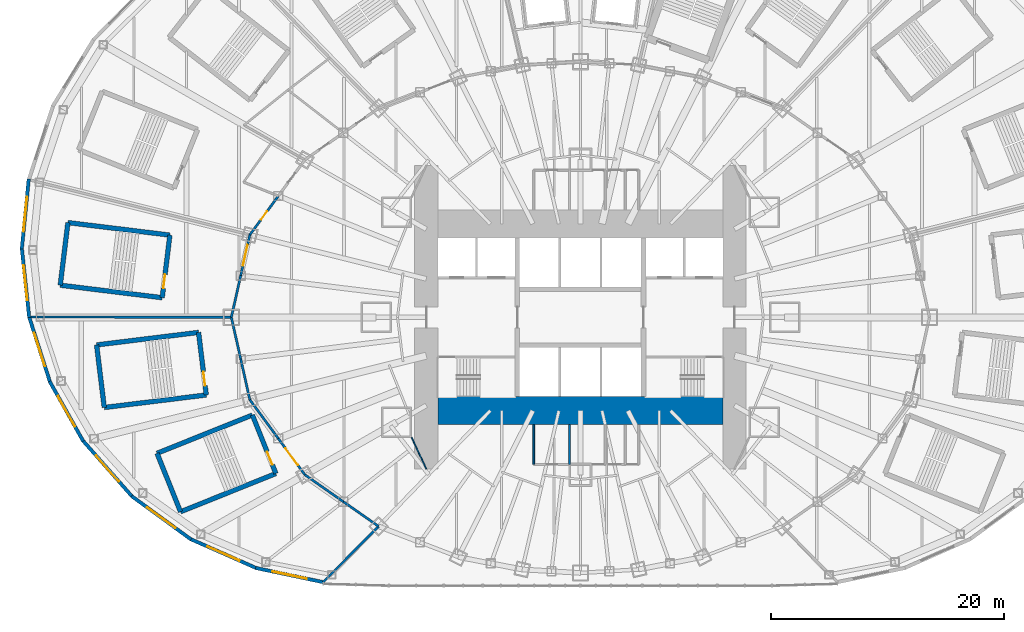
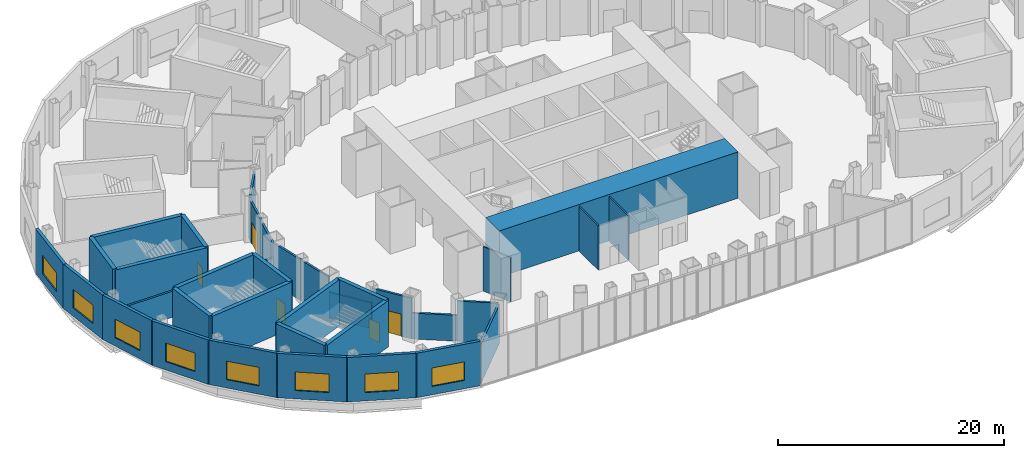
# One storey, part 13 of 73: 35 walls, 8 windows, 6 doors, 14 openings.
"""IFC4 building model written with IfcOpenShell, lengths in metres."""

from ifc_helpers import new_model, si_unit, direction, frame, frame_2d, origin, place, context, subcontext, project, spatial, rectangle, extrude, material, layer, layer_set, type_object, element, fill, save


model = new_model("IFC4")

# Units and contexts
model_context = context("Model", 3, precision=1e-05, world=origin(), true_north=direction((0.0, 1.0)))
body_context = subcontext(model_context, "Body", "Model", "MODEL_VIEW")
ifc_project = project(units=[si_unit("LENGTHUNIT", "METRE"), si_unit("AREAUNIT", "SQUARE_METRE"), si_unit("VOLUMEUNIT", "CUBIC_METRE"), si_unit("PLANEANGLEUNIT", "RADIAN"), si_unit("MASSUNIT", "GRAM", prefix="KILO")], contexts=[model_context])

# Site, building, storey
site_placement = place(None, origin())
site = spatial("IfcSite", under=ifc_project, at=site_placement, CompositionType="ELEMENT")
building_placement = place(site_placement, origin())
building = spatial("IfcBuilding", under=site, at=building_placement, Name="Lantaw Convention Tower", CompositionType="ELEMENT")
storey_placement = place(building_placement, frame((0.0, 0.0, 27.0)))
storey = spatial("IfcBuildingStorey", under=building, at=storey_placement, Name="L04", CompositionType="ELEMENT", Elevation=27.0)

# Walls
ifc_material_1 = material(Name="Concrete C60/75", Category="concrete")
ifc_layer_1 = layer(ifc_material_1, 2.39990234375)
ifc_layer_set_1 = layer_set([ifc_layer_1], Name="Core wall 2400")
wall_type_1 = type_object("IfcWallType", Name="Core wall 2400", PredefinedType="SHEAR", material=ifc_layer_set_1)
wall_1_placement = place(storey_placement, frame((-12.199951171875, -8.0, 0.0), z_axis=(0.0, 0.0, 1.0), x_axis=(1.0, 0.0, 0.0)))
element("IfcWall", 1, at=wall_1_placement, inside=storey, type_object=wall_type_1, Name="Core wall S", PredefinedType="SHEAR", context=body_context, shape_type="SweptSolid", body=[
    extrude(rectangle(XDim=24.39990234375, YDim=2.39990234375, at=frame_2d((12.199951171875, 0.0))), origin(), (0.0, 0.0, 1.0), 5.0),
])
ifc_material_2 = material(Name="Gypsum board on steel studs, acoustic", Category="steel")
ifc_layer_2 = layer(ifc_material_2, 0.10009765625)
ifc_layer_set_2 = layer_set([ifc_layer_2], Name="Office partition 100")
wall_type_2 = type_object("IfcWallType", Name="Office partition 100", PredefinedType="PARTITIONING", material=ifc_layer_set_2)
wall_2_placement = place(storey_placement, frame((-13.199951171875, -13.0, 0.0), z_axis=(0.0, 0.0, 1.0), x_axis=(-0.420129824888, 0.907464010437, 0.0)))
element("IfcWall", 2, at=wall_2_placement, inside=storey, type_object=wall_type_2, Name="Office partition 100", PredefinedType="PARTITIONING", context=body_context, shape_type="SweptSolid", body=[
    extrude(rectangle(XDim=2.975341796875, YDim=0.10009765625, at=frame_2d((1.48779296875, 0.0))), origin(), (0.0, 0.0, 1.0), 4.800048828125),
])

# Wall, opening, window
ifc_material_3 = material(Name="Precast concrete panel, pale aluminium rainscreen", Category="concrete")
ifc_layer_3 = layer(ifc_material_3, 0.300048828125)
ifc_layer_set_3 = layer_set([ifc_layer_3], Name="Podium external wall 300")
wall_type_3 = type_object("IfcWallType", Name="Podium external wall 300", PredefinedType="SOLIDWALL", material=ifc_layer_set_3)
wall_3_placement = place(storey_placement, frame((-47.256591796875, 11.845458984375, 0.0), z_axis=(0.0, 0.0, 1.0), x_axis=(-0.099051198898, -0.9950823383, 0.0)))
wall_3 = element("IfcWall", 3, at=wall_3_placement, inside=storey, type_object=wall_type_3, Name="Podium facade wall", PredefinedType="SOLIDWALL", context=body_context, shape_type="SweptSolid", body=[
    extrude(rectangle(XDim=6.036376953125, YDim=0.300048828125, at=frame_2d((3.01806640625, 0.0))), origin(), (0.0, 0.0, 1.0), 4.800048828125),
])
opening_1_placement = place(wall_3_placement, frame((1.51806640625, 0.0, 0.89990234375)))
opening_1 = element("IfcOpeningElement", 4, at=opening_1_placement, cuts=wall_3, Name="Opening W3", PredefinedType="OPENING", context=body_context, shape_type="SweptSolid", body=[
    extrude(rectangle(XDim=3.0, YDim=2.0, at=frame_2d((1.5, 1.0))), frame((0.0, 0.159912109375, 0.0), z_axis=(0.0, -1.0, 0.0), x_axis=(1.0, 0.0, 0.0)), (0.0, 0.0, 1.0), 0.320068359375),
])
ifc_material_4 = material(Name="Aluminium frame, clear insulating glass", Category="aluminium")
window_type = type_object("IfcWindowType", Name="Podium window 3000x2000", PartitioningType="DOUBLE_PANEL_VERTICAL", PredefinedType="WINDOW", material=ifc_material_4)
window_1_placement = place(opening_1_placement, origin())
window_1 = element("IfcWindow", 5, at=window_1_placement, inside=storey, type_object=window_type, Name="Podium window", OverallHeight=2.0, OverallWidth=3.0, PartitioningType="SINGLE_PANEL", PredefinedType="WINDOW", context=body_context, shape_type="SweptSolid", body=[
    extrude(rectangle(XDim=3.0, YDim=2.0, at=frame_2d((1.5, 1.0))), frame((0.0, 0.030029296875, 0.0), z_axis=(0.0, -1.0, 0.0), x_axis=(1.0, 0.0, 0.0)), (0.0, 0.0, 1.0), 0.06005859375),
])
fill(opening_1, window_1)

wall_4_placement = place(storey_placement, frame((-47.85498046875, 5.94921875, 0.0), z_axis=(0.0, 0.0, 1.0), x_axis=(0.105835648981, -0.99438363593, 0.0)))
wall_4 = element("IfcWall", 6, at=wall_4_placement, inside=storey, type_object=wall_type_3, Name="Podium facade wall", PredefinedType="SOLIDWALL", context=body_context, shape_type="SweptSolid", body=[
    extrude(rectangle(XDim=6.0068359375, YDim=0.300048828125, at=frame_2d((3.00341796875, 0.0))), origin(), (0.0, 0.0, 1.0), 4.800048828125),
])
opening_2_placement = place(wall_4_placement, frame((1.50341796875, 0.0, 0.89990234375)))
opening_2 = element("IfcOpeningElement", 7, at=opening_2_placement, cuts=wall_4, Name="Opening W3", PredefinedType="OPENING", context=body_context, shape_type="SweptSolid", body=[
    extrude(rectangle(XDim=3.0, YDim=2.0, at=frame_2d((1.5, 1.0))), frame((0.0, 0.159912109375, 0.0), z_axis=(0.0, -1.0, 0.0), x_axis=(1.0, 0.0, 0.0)), (0.0, 0.0, 1.0), 0.320068359375),
])
window_2_placement = place(opening_2_placement, origin())
window_2 = element("IfcWindow", 8, at=window_2_placement, inside=storey, type_object=window_type, Name="Podium window", OverallHeight=2.0, OverallWidth=3.0, PartitioningType="SINGLE_PANEL", PredefinedType="WINDOW", context=body_context, shape_type="SweptSolid", body=[
    extrude(rectangle(XDim=3.0, YDim=2.0, at=frame_2d((1.5, 1.0))), frame((0.0, 0.030029296875, 0.0), z_axis=(0.0, -1.0, 0.0), x_axis=(1.0, 0.0, 0.0)), (0.0, 0.0, 1.0), 0.06005859375),
])
fill(opening_2, window_2)

wall_5_placement = place(storey_placement, frame((-47.241943359375, 0.083740234375, 0.0), z_axis=(0.0, 0.0, 1.0), x_axis=(0.304991367091, -0.95235511549, 0.0)))
wall_5 = element("IfcWall", 9, at=wall_5_placement, inside=storey, type_object=wall_type_3, Name="Podium facade wall", PredefinedType="SOLIDWALL", context=body_context, shape_type="SweptSolid", body=[
    extrude(rectangle(XDim=5.956298828125, YDim=0.300048828125, at=frame_2d((2.97802734375, 0.0))), origin(), (0.0, 0.0, 1.0), 4.800048828125),
])
opening_3_placement = place(wall_5_placement, frame((1.478271484375, 0.0, 0.89990234375)))
opening_3 = element("IfcOpeningElement", 10, at=opening_3_placement, cuts=wall_5, Name="Opening W3", PredefinedType="OPENING", context=body_context, shape_type="SweptSolid", body=[
    extrude(rectangle(XDim=3.0, YDim=2.0, at=frame_2d((1.5, 1.0))), frame((0.0, 0.159912109375, 0.0), z_axis=(0.0, -1.0, 0.0), x_axis=(1.0, 0.0, 0.0)), (0.0, 0.0, 1.0), 0.320068359375),
])
window_3_placement = place(opening_3_placement, origin())
window_3 = element("IfcWindow", 11, at=window_3_placement, inside=storey, type_object=window_type, Name="Podium window", OverallHeight=2.0, OverallWidth=3.0, PartitioningType="SINGLE_PANEL", PredefinedType="WINDOW", context=body_context, shape_type="SweptSolid", body=[
    extrude(rectangle(XDim=3.0, YDim=2.0, at=frame_2d((1.5, 1.0))), frame((0.0, 0.030029296875, 0.0), z_axis=(0.0, -1.0, 0.0), x_axis=(1.0, 0.0, 0.0)), (0.0, 0.0, 1.0), 0.06005859375),
])
fill(opening_3, window_3)

wall_6_placement = place(storey_placement, frame((-45.46923828125, -5.48828125, 0.0), z_axis=(0.0, 0.0, 1.0), x_axis=(0.489563544979, -0.871967622924, 0.0)))
wall_6 = element("IfcWall", 12, at=wall_6_placement, inside=storey, type_object=wall_type_3, Name="Podium facade wall", PredefinedType="SOLIDWALL", context=body_context, shape_type="SweptSolid", body=[
    extrude(rectangle(XDim=5.882568359375, YDim=0.300048828125, at=frame_2d((2.94140625, 0.0))), origin(), (0.0, 0.0, 1.0), 4.800048828125),
])
opening_4_placement = place(wall_6_placement, frame((1.44140625, 0.0, 0.89990234375)))
opening_4 = element("IfcOpeningElement", 13, at=opening_4_placement, cuts=wall_6, Name="Opening W3", PredefinedType="OPENING", context=body_context, shape_type="SweptSolid", body=[
    extrude(rectangle(XDim=3.0, YDim=2.0, at=frame_2d((1.5, 1.0))), frame((0.0, 0.159912109375, 0.0), z_axis=(0.0, -1.0, 0.0), x_axis=(1.0, 0.0, 0.0)), (0.0, 0.0, 1.0), 0.320068359375),
])
window_4_placement = place(opening_4_placement, origin())
window_4 = element("IfcWindow", 14, at=window_4_placement, inside=storey, type_object=window_type, Name="Podium window", OverallHeight=2.0, OverallWidth=3.0, PartitioningType="SINGLE_PANEL", PredefinedType="WINDOW", context=body_context, shape_type="SweptSolid", body=[
    extrude(rectangle(XDim=3.0, YDim=2.0, at=frame_2d((1.5, 1.0))), frame((0.0, 0.030029296875, 0.0), z_axis=(0.0, -1.0, 0.0), x_axis=(1.0, 0.0, 0.0)), (0.0, 0.0, 1.0), 0.06005859375),
])
fill(opening_4, window_4)

wall_7_placement = place(storey_placement, frame((-42.653564453125, -10.527099609375, 0.0), z_axis=(0.0, 0.0, 1.0), x_axis=(0.661196672464, -0.75021261008, 0.0)))
wall_7 = element("IfcWall", 15, at=wall_7_placement, inside=storey, type_object=wall_type_3, Name="Podium facade wall", PredefinedType="SOLIDWALL", context=body_context, shape_type="SweptSolid", body=[
    extrude(rectangle(XDim=6.48095703125, YDim=0.300048828125, at=frame_2d((3.240478515625, 0.0))), origin(), (0.0, 0.0, 1.0), 4.800048828125),
])
opening_5_placement = place(wall_7_placement, frame((1.740478515625, 0.0, 0.89990234375)))
opening_5 = element("IfcOpeningElement", 16, at=opening_5_placement, cuts=wall_7, Name="Opening W3", PredefinedType="OPENING", context=body_context, shape_type="SweptSolid", body=[
    extrude(rectangle(XDim=3.0, YDim=2.0, at=frame_2d((1.5, 1.0))), frame((0.0, 0.159912109375, 0.0), z_axis=(0.0, -1.0, 0.0), x_axis=(1.0, 0.0, 0.0)), (0.0, 0.0, 1.0), 0.320068359375),
])
window_5_placement = place(opening_5_placement, origin())
window_5 = element("IfcWindow", 17, at=window_5_placement, inside=storey, type_object=window_type, Name="Podium window", OverallHeight=2.0, OverallWidth=3.0, PartitioningType="SINGLE_PANEL", PredefinedType="WINDOW", context=body_context, shape_type="SweptSolid", body=[
    extrude(rectangle(XDim=3.0, YDim=2.0, at=frame_2d((1.5, 1.0))), frame((0.0, 0.030029296875, 0.0), z_axis=(0.0, -1.0, 0.0), x_axis=(1.0, 0.0, 0.0)), (0.0, 0.0, 1.0), 0.06005859375),
])
fill(opening_5, window_5)

wall_8_placement = place(storey_placement, frame((-38.451171875, -15.313720703125, 0.0), z_axis=(0.0, 0.0, 1.0), x_axis=(0.807903497184, -0.589314804868, 0.0)))
wall_8 = element("IfcWall", 18, at=wall_8_placement, inside=storey, type_object=wall_type_3, Name="Podium facade wall", PredefinedType="SOLIDWALL", context=body_context, shape_type="SweptSolid", body=[
    extrude(rectangle(XDim=6.30810546875, YDim=0.300048828125, at=frame_2d((3.154052734375, 0.0))), origin(), (0.0, 0.0, 1.0), 4.800048828125),
])
opening_6_placement = place(wall_8_placement, frame((1.654296875, 0.0, 0.89990234375)))
opening_6 = element("IfcOpeningElement", 19, at=opening_6_placement, cuts=wall_8, Name="Opening W3", PredefinedType="OPENING", context=body_context, shape_type="SweptSolid", body=[
    extrude(rectangle(XDim=3.0, YDim=2.0, at=frame_2d((1.5, 1.0))), frame((0.0, 0.159912109375, 0.0), z_axis=(0.0, -1.0, 0.0), x_axis=(1.0, 0.0, 0.0)), (0.0, 0.0, 1.0), 0.320068359375),
])
window_6_placement = place(opening_6_placement, origin())
window_6 = element("IfcWindow", 20, at=window_6_placement, inside=storey, type_object=window_type, Name="Podium window", OverallHeight=2.0, OverallWidth=3.0, PartitioningType="SINGLE_PANEL", PredefinedType="WINDOW", context=body_context, shape_type="SweptSolid", body=[
    extrude(rectangle(XDim=3.0, YDim=2.0, at=frame_2d((1.5, 1.0))), frame((0.0, 0.030029296875, 0.0), z_axis=(0.0, -1.0, 0.0), x_axis=(1.0, 0.0, 0.0)), (0.0, 0.0, 1.0), 0.06005859375),
])
fill(opening_6, window_6)

wall_9_placement = place(storey_placement, frame((-33.451416015625, -18.9755859375, 0.0), z_axis=(0.0, 0.0, 1.0), x_axis=(0.914840828207, -0.40381463451, 0.0)))
wall_9 = element("IfcWall", 21, at=wall_9_placement, inside=storey, type_object=wall_type_3, Name="Podium facade wall", PredefinedType="SOLIDWALL", context=body_context, shape_type="SweptSolid", body=[
    extrude(rectangle(XDim=6.271484375, YDim=0.300048828125, at=frame_2d((3.1357421875, 0.0))), origin(), (0.0, 0.0, 1.0), 4.800048828125),
])
opening_7_placement = place(wall_9_placement, frame((1.6357421875, 0.0, 0.89990234375)))
opening_7 = element("IfcOpeningElement", 22, at=opening_7_placement, cuts=wall_9, Name="Opening W3", PredefinedType="OPENING", context=body_context, shape_type="SweptSolid", body=[
    extrude(rectangle(XDim=3.0, YDim=2.0, at=frame_2d((1.5, 1.0))), frame((0.0, 0.159912109375, 0.0), z_axis=(0.0, -1.0, 0.0), x_axis=(1.0, 0.0, 0.0)), (0.0, 0.0, 1.0), 0.320068359375),
])
window_7_placement = place(opening_7_placement, origin())
window_7 = element("IfcWindow", 23, at=window_7_placement, inside=storey, type_object=window_type, Name="Podium window", OverallHeight=2.0, OverallWidth=3.0, PartitioningType="SINGLE_PANEL", PredefinedType="WINDOW", context=body_context, shape_type="SweptSolid", body=[
    extrude(rectangle(XDim=3.0, YDim=2.0, at=frame_2d((1.5, 1.0))), frame((0.0, 0.030029296875, 0.0), z_axis=(0.0, -1.0, 0.0), x_axis=(1.0, 0.0, 0.0)), (0.0, 0.0, 1.0), 0.06005859375),
])
fill(opening_7, window_7)

wall_10_placement = place(storey_placement, frame((-27.819580078125, -21.473876953125, 0.0), z_axis=(0.0, 0.0, 1.0), x_axis=(0.978625319268, -0.205651366364, 0.0)))
wall_10 = element("IfcWall", 24, at=wall_10_placement, inside=storey, type_object=wall_type_3, Name="Podium facade wall", PredefinedType="SOLIDWALL", context=body_context, shape_type="SweptSolid", body=[
    extrude(rectangle(XDim=5.9619140625, YDim=0.300048828125, at=frame_2d((2.98095703125, 0.0))), origin(), (0.0, 0.0, 1.0), 4.800048828125),
])
opening_8_placement = place(wall_10_placement, frame((1.48095703125, 0.0, 0.89990234375)))
opening_8 = element("IfcOpeningElement", 25, at=opening_8_placement, cuts=wall_10, Name="Opening W3", PredefinedType="OPENING", context=body_context, shape_type="SweptSolid", body=[
    extrude(rectangle(XDim=3.0, YDim=2.0, at=frame_2d((1.5, 1.0))), frame((0.0, 0.159912109375, 0.0), z_axis=(0.0, -1.0, 0.0), x_axis=(1.0, 0.0, 0.0)), (0.0, 0.0, 1.0), 0.320068359375),
])
window_8_placement = place(opening_8_placement, origin())
window_8 = element("IfcWindow", 26, at=window_8_placement, inside=storey, type_object=window_type, Name="Podium window", OverallHeight=2.0, OverallWidth=3.0, PartitioningType="SINGLE_PANEL", PredefinedType="WINDOW", context=body_context, shape_type="SweptSolid", body=[
    extrude(rectangle(XDim=3.0, YDim=2.0, at=frame_2d((1.5, 1.0))), frame((0.0, 0.030029296875, 0.0), z_axis=(0.0, -1.0, 0.0), x_axis=(1.0, 0.0, 0.0)), (0.0, 0.0, 1.0), 0.06005859375),
])
fill(opening_8, window_8)

# Wall, opening, door
ifc_material_5 = material(Name="Concrete blockwork", Category="masonry")
ifc_layer_4 = layer(ifc_material_5, 0.199951171875)
ifc_layer_set_4 = layer_set([ifc_layer_4], Name="Podium partition 200")
wall_type_4 = type_object("IfcWallType", Name="Podium partition 200", PredefinedType="SOLIDWALL", material=ifc_layer_set_4)
wall_11_placement = place(storey_placement, frame((-25.8779296875, 10.388427734375, 0.0), z_axis=(0.0, 0.0, 1.0), x_axis=(-0.591255937291, -0.806483984105, 0.0)))
wall_11 = element("IfcWall", 27, at=wall_11_placement, inside=storey, type_object=wall_type_4, Name="Podium partition 200", PredefinedType="SOLIDWALL", context=body_context, shape_type="SweptSolid", body=[
    extrude(rectangle(XDim=4.126708984375, YDim=0.199951171875, at=frame_2d((2.0634765625, 0.0))), origin(), (0.0, 0.0, 1.0), 4.3935546875),
])
opening_9_placement = place(wall_11_placement, frame((1.61328125, 0.0, 0.0)))
opening_9 = element("IfcOpeningElement", 28, at=opening_9_placement, cuts=wall_11, Name="Opening L04.19", PredefinedType="OPENING", context=body_context, shape_type="SweptSolid", body=[
    extrude(rectangle(XDim=0.89990234375, YDim=2.10009765625, at=frame_2d((0.449951171875, 1.050048828125))), frame((0.0, 0.10986328125, 0.0), z_axis=(0.0, -1.0, 0.0), x_axis=(1.0, 0.0, 0.0)), (0.0, 0.0, 1.0), 0.219970703125),
])
ifc_material_6 = material(Name="Timber", Category="wood")
door_type_1 = type_object("IfcDoorType", Name="Store door 900", OperationType="SINGLE_SWING_LEFT", PredefinedType="DOOR", material=ifc_material_6)
door_1_placement = place(opening_9_placement, origin())
door_1 = element("IfcDoor", 29, at=door_1_placement, inside=storey, type_object=door_type_1, Name="Hall store door", OperationType="SINGLE_SWING_LEFT", OverallHeight=2.10009765625, OverallWidth=0.89990234375, PredefinedType="DOOR", context=body_context, shape_type="SweptSolid", body=[
    extrude(rectangle(XDim=0.89990234375, YDim=2.10009765625, at=frame_2d((0.449951171875, 1.050048828125))), frame((0.0, 0.02490234375, 0.0), z_axis=(0.0, -1.0, 0.0), x_axis=(1.0, 0.0, 0.0)), (0.0, 0.0, 1.0), 0.050048828125),
])
fill(opening_9, door_1)

wall_12_placement = place(storey_placement, frame((-28.31787109375, 7.060302734375, 0.0), z_axis=(0.0, 0.0, 1.0), x_axis=(-0.218673326171, -0.97579812278, 0.0)))
wall_12 = element("IfcWall", 30, at=wall_12_placement, inside=storey, type_object=wall_type_4, Name="Podium partition 200", PredefinedType="SOLIDWALL", context=body_context, shape_type="SweptSolid", body=[
    extrude(rectangle(XDim=3.57373046875, YDim=0.199951171875, at=frame_2d((1.786865234375, 0.0))), origin(), (0.0, 0.0, 1.0), 4.3935546875),
])
opening_10_placement = place(wall_12_placement, frame((0.886962890625, 0.0, 0.0)))
opening_10 = element("IfcOpeningElement", 31, at=opening_10_placement, cuts=wall_12, Name="Opening L04.20", PredefinedType="OPENING", context=body_context, shape_type="SweptSolid", body=[
    extrude(rectangle(XDim=1.800048828125, YDim=2.39990234375, at=frame_2d((0.89990234375, 1.199951171875))), frame((0.0, 0.10986328125, 0.0), z_axis=(0.0, -1.0, 0.0), x_axis=(1.0, 0.0, 0.0)), (0.0, 0.0, 1.0), 0.219970703125),
])
door_type_2 = type_object("IfcDoorType", Name="Hall double door 1800", OperationType="DOUBLE_DOOR_DOUBLE_SWING", PredefinedType="DOOR", material=ifc_material_6)
door_2_placement = place(opening_10_placement, origin())
door_2 = element("IfcDoor", 32, at=door_2_placement, inside=storey, type_object=door_type_2, Name="Function room store door", OperationType="DOUBLE_DOOR_DOUBLE_SWING", OverallHeight=2.39990234375, OverallWidth=1.800048828125, PredefinedType="DOOR", context=body_context, shape_type="SweptSolid", body=[
    extrude(rectangle(XDim=1.800048828125, YDim=2.39990234375, at=frame_2d((0.89990234375, 1.199951171875))), frame((0.0, 0.02490234375, 0.0), z_axis=(0.0, -1.0, 0.0), x_axis=(1.0, 0.0, 0.0)), (0.0, 0.0, 1.0), 0.050048828125),
])
fill(opening_10, door_2)

# Walls
wall_13_placement = place(storey_placement, frame((-29.099365234375, 3.572998046875, 0.0), z_axis=(0.0, 0.0, 1.0), x_axis=(-0.218631550323, -0.975807483679, 0.0)))
element("IfcWall", 33, at=wall_13_placement, inside=storey, type_object=wall_type_4, Name="Podium partition 200", PredefinedType="SOLIDWALL", context=body_context, shape_type="SweptSolid", body=[
    extrude(rectangle(XDim=3.66162109375, YDim=0.199951171875, at=frame_2d((1.830810546875, 0.0))), origin(), (0.0, 0.0, 1.0), 4.271728515625),
])
wall_14_placement = place(storey_placement, frame((-29.89990234375, 0.0, 0.0), z_axis=(0.0, 0.0, 1.0), x_axis=(0.218631550323, -0.975807483679, 0.0)))
element("IfcWall", 34, at=wall_14_placement, inside=storey, type_object=wall_type_4, Name="Podium partition 200", PredefinedType="SOLIDWALL", context=body_context, shape_type="SweptSolid", body=[
    extrude(rectangle(XDim=3.66162109375, YDim=0.199951171875, at=frame_2d((1.830810546875, 0.0))), origin(), (0.0, 0.0, 1.0), 4.3935546875),
])
wall_15_placement = place(storey_placement, frame((-29.099365234375, -3.572998046875, 0.0), z_axis=(0.0, 0.0, 1.0), x_axis=(0.218673326171, -0.97579812278, 0.0)))
element("IfcWall", 35, at=wall_15_placement, inside=storey, type_object=wall_type_4, Name="Podium partition 200", PredefinedType="SOLIDWALL", context=body_context, shape_type="SweptSolid", body=[
    extrude(rectangle(XDim=3.57373046875, YDim=0.199951171875, at=frame_2d((1.786865234375, 0.0))), origin(), (0.0, 0.0, 1.0), 4.396240234375),
])
wall_16_placement = place(storey_placement, frame((-28.31787109375, -7.060302734375, 0.0), z_axis=(0.0, 0.0, 1.0), x_axis=(0.591255937291, -0.806483984105, 0.0)))
element("IfcWall", 36, at=wall_16_placement, inside=storey, type_object=wall_type_4, Name="Podium partition 200", PredefinedType="SOLIDWALL", context=body_context, shape_type="SweptSolid", body=[
    extrude(rectangle(XDim=4.126708984375, YDim=0.199951171875, at=frame_2d((2.0634765625, 0.0))), origin(), (0.0, 0.0, 1.0), 2.800048828125),
])

# Wall, opening, door
wall_17_placement = place(storey_placement, frame((-25.8779296875, -10.388427734375, 0.0), z_axis=(0.0, 0.0, 1.0), x_axis=(0.591286566758, -0.806461527893, 0.0)))
wall_17 = element("IfcWall", 37, at=wall_17_placement, inside=storey, type_object=wall_type_4, Name="Podium partition 200", PredefinedType="SOLIDWALL", context=body_context, shape_type="SweptSolid", body=[
    extrude(rectangle(XDim=3.843994140625, YDim=0.199951171875, at=frame_2d((1.921875, 0.0))), origin(), (0.0, 0.0, 1.0), 4.396240234375),
])
opening_11_placement = place(wall_17_placement, frame((1.02197265625, 0.0, 0.0)))
opening_11 = element("IfcOpeningElement", 38, at=opening_11_placement, cuts=wall_17, Name="Opening L04.21", PredefinedType="OPENING", context=body_context, shape_type="SweptSolid", body=[
    extrude(rectangle(XDim=1.800048828125, YDim=2.39990234375, at=frame_2d((0.89990234375, 1.199951171875))), frame((0.0, 0.10986328125, 0.0), z_axis=(0.0, -1.0, 0.0), x_axis=(1.0, 0.0, 0.0)), (0.0, 0.0, 1.0), 0.219970703125),
])
door_3_placement = place(opening_11_placement, origin())
door_3 = element("IfcDoor", 39, at=door_3_placement, inside=storey, type_object=door_type_2, Name="Function room door", OperationType="DOUBLE_DOOR_DOUBLE_SWING", OverallHeight=2.39990234375, OverallWidth=1.800048828125, PredefinedType="DOOR", context=body_context, shape_type="SweptSolid", body=[
    extrude(rectangle(XDim=1.800048828125, YDim=2.39990234375, at=frame_2d((0.89990234375, 1.199951171875))), frame((0.0, 0.02490234375, 0.0), z_axis=(0.0, -1.0, 0.0), x_axis=(1.0, 0.0, 0.0)), (0.0, 0.0, 1.0), 0.050048828125),
])
fill(opening_11, door_3)

# Walls
wall_18_placement = place(storey_placement, frame((-23.60498046875, -13.488525390625, 0.0), z_axis=(0.0, 0.0, 1.0), x_axis=(0.819442856133, -0.573160889744, 0.0)))
element("IfcWall", 40, at=wall_18_placement, inside=storey, type_object=wall_type_4, Name="Podium partition 200", PredefinedType="SOLIDWALL", context=body_context, shape_type="SweptSolid", body=[
    extrude(rectangle(XDim=4.022705078125, YDim=0.199951171875, at=frame_2d((2.01123046875, 0.0))), origin(), (0.0, 0.0, 1.0), 2.800048828125),
])
wall_19_placement = place(storey_placement, frame((-20.30859375, -15.794189453125, 0.0), z_axis=(0.0, 0.0, 1.0), x_axis=(0.819409395821, -0.573208724672, 0.0)))
element("IfcWall", 41, at=wall_19_placement, inside=storey, type_object=wall_type_4, Name="Podium partition 200", PredefinedType="SOLIDWALL", context=body_context, shape_type="SweptSolid", body=[
    extrude(rectangle(XDim=3.682861328125, YDim=0.199951171875, at=frame_2d((1.84130859375, 0.0))), origin(), (0.0, 0.0, 1.0), 4.337646484375),
])
wall_20_placement = place(storey_placement, frame((-29.89990234375, 0.0, 0.0), z_axis=(0.0, 0.0, 1.0), x_axis=(-0.99999837328, 0.001803728535, 0.0)))
element("IfcWall", 42, at=wall_20_placement, inside=storey, type_object=wall_type_4, Name="Podium partition 200", PredefinedType="SOLIDWALL", context=body_context, shape_type="SweptSolid", body=[
    extrude(rectangle(XDim=17.3251953125, YDim=0.199951171875, at=frame_2d((8.66259765625, 0.0))), origin(), (0.0, 0.0, 1.0), 2.800048828125),
])
wall_21_placement = place(storey_placement, frame((-17.290771484375, -17.9052734375, 0.0), z_axis=(0.0, 0.0, 1.0), x_axis=(-0.704348079756, -0.709854761585, 0.0)))
element("IfcWall", 43, at=wall_21_placement, inside=storey, type_object=wall_type_4, Name="Podium partition 200", PredefinedType="SOLIDWALL", context=body_context, shape_type="SweptSolid", body=[
    extrude(rectangle(XDim=6.739013671875, YDim=0.199951171875, at=frame_2d((3.36962890625, 0.0))), origin(), (0.0, 0.0, 1.0), 4.197998046875),
])
ifc_material_7 = material(Name="Concrete C40/50, stair core", Category="concrete")
ifc_layer_5 = layer(ifc_material_7, 0.39990234375)
ifc_layer_set_5 = layer_set([ifc_layer_5], Name="Stair enclosure wall 400 EI 120")
wall_type_5 = type_object("IfcWallType", Name="Stair enclosure wall 400 EI 120", PredefinedType="SHEAR", material=ifc_layer_set_5)
wall_22_placement = place(storey_placement, frame((-35.164794921875, 7.037841796875, 0.0), z_axis=(0.0, 0.0, 1.0), x_axis=(-0.992545280606, 0.121876437212, 0.0)))
element("IfcWall", 44, at=wall_22_placement, inside=storey, type_object=wall_type_5, Name="Stair enclosure wall", PredefinedType="SHEAR", context=body_context, shape_type="SweptSolid", body=[
    extrude(rectangle(XDim=8.800048828125, YDim=0.39990234375, at=frame_2d((4.39990234375, 0.0))), origin(), (0.0, 0.0, 1.0), 5.0),
])
wall_23_placement = place(storey_placement, frame((-43.899169921875, 8.1103515625, 0.0), z_axis=(0.0, 0.0, 1.0), x_axis=(-0.12184754212, -0.99254882826, 0.0)))
element("IfcWall", 45, at=wall_23_placement, inside=storey, type_object=wall_type_5, Name="Stair enclosure wall", PredefinedType="SHEAR", context=body_context, shape_type="SweptSolid", body=[
    extrude(rectangle(XDim=5.39990234375, YDim=0.39990234375, at=frame_2d((2.699951171875, 0.0))), origin(), (0.0, 0.0, 1.0), 5.0),
])
wall_24_placement = place(storey_placement, frame((-44.55712890625, 2.750732421875, 0.0), z_axis=(0.0, 0.0, 1.0), x_axis=(0.992545280606, -0.121876437212, 0.0)))
element("IfcWall", 46, at=wall_24_placement, inside=storey, type_object=wall_type_5, Name="Stair enclosure wall", PredefinedType="SHEAR", context=body_context, shape_type="SweptSolid", body=[
    extrude(rectangle(XDim=8.800048828125, YDim=0.39990234375, at=frame_2d((4.39990234375, 0.0))), origin(), (0.0, 0.0, 1.0), 5.0),
])

# Wall, opening, door
wall_25_placement = place(storey_placement, frame((-35.82275390625, 1.67822265625, 0.0), z_axis=(0.0, 0.0, 1.0), x_axis=(0.12184754212, 0.99254882826, 0.0)))
wall_25 = element("IfcWall", 47, at=wall_25_placement, inside=storey, type_object=wall_type_5, Name="Stair enclosure wall", PredefinedType="SHEAR", context=body_context, shape_type="SweptSolid", body=[
    extrude(rectangle(XDim=5.39990234375, YDim=0.39990234375, at=frame_2d((2.699951171875, 0.0))), origin(), (0.0, 0.0, 1.0), 5.0),
])
opening_12_placement = place(wall_25_placement, frame((0.800048828125, 0.0, 0.0)))
opening_12 = element("IfcOpeningElement", 48, at=opening_12_placement, cuts=wall_25, Name="Opening L04.P9", PredefinedType="OPENING", context=body_context, shape_type="SweptSolid", body=[
    extrude(rectangle(XDim=1.199951171875, YDim=2.10009765625, at=frame_2d((0.60009765625, 1.050048828125))), frame((0.0, 0.2099609375, 0.0), z_axis=(0.0, -1.0, 0.0), x_axis=(1.0, 0.0, 0.0)), (0.0, 0.0, 1.0), 0.419921875),
])
ifc_material_8 = material(Name="Steel, fire rated", Category="steel")
door_type_3 = type_object("IfcDoorType", Name="Stair door FD90", OperationType="SINGLE_SWING_RIGHT", PredefinedType="DOOR", material=ifc_material_8)
door_4_placement = place(opening_12_placement, origin())
door_4 = element("IfcDoor", 49, at=door_4_placement, inside=storey, type_object=door_type_3, Name="Exit stair door", OperationType="SINGLE_SWING_RIGHT", OverallHeight=2.10009765625, OverallWidth=1.199951171875, PredefinedType="DOOR", context=body_context, shape_type="SweptSolid", body=[
    extrude(rectangle(XDim=1.199951171875, YDim=2.10009765625, at=frame_2d((0.60009765625, 1.050048828125))), frame((0.0, 0.02490234375, 0.0), z_axis=(0.0, -1.0, 0.0), x_axis=(1.0, 0.0, 0.0)), (0.0, 0.0, 1.0), 0.050048828125),
])
fill(opening_12, door_4)

# Walls
wall_26_placement = place(storey_placement, frame((-32.70849609375, -1.2958984375, 0.0), z_axis=(0.0, 0.0, 1.0), x_axis=(-0.992545692684, -0.121873081252, 0.0)))
element("IfcWall", 50, at=wall_26_placement, inside=storey, type_object=wall_type_5, Name="Stair enclosure wall", PredefinedType="SHEAR", context=body_context, shape_type="SweptSolid", body=[
    extrude(rectangle(XDim=8.80029296875, YDim=0.39990234375, at=frame_2d((4.400146484375, 0.0))), origin(), (0.0, 0.0, 1.0), 5.0),
])
wall_27_placement = place(storey_placement, frame((-41.443115234375, -2.368408203125, 0.0), z_axis=(0.0, 0.0, 1.0), x_axis=(0.121892082937, -0.992543359314, 0.0)))
element("IfcWall", 51, at=wall_27_placement, inside=storey, type_object=wall_type_5, Name="Stair enclosure wall", PredefinedType="SHEAR", context=body_context, shape_type="SweptSolid", body=[
    extrude(rectangle(XDim=5.39990234375, YDim=0.39990234375, at=frame_2d((2.699951171875, 0.0))), origin(), (0.0, 0.0, 1.0), 5.0),
])
wall_28_placement = place(storey_placement, frame((-40.784912109375, -7.72802734375, 0.0), z_axis=(0.0, 0.0, 1.0), x_axis=(0.992545280606, 0.121876437212, 0.0)))
element("IfcWall", 52, at=wall_28_placement, inside=storey, type_object=wall_type_5, Name="Stair enclosure wall", PredefinedType="SHEAR", context=body_context, shape_type="SweptSolid", body=[
    extrude(rectangle(XDim=8.800048828125, YDim=0.39990234375, at=frame_2d((4.39990234375, 0.0))), origin(), (0.0, 0.0, 1.0), 5.0),
])

# Wall, opening, door
wall_29_placement = place(storey_placement, frame((-32.050537109375, -6.655517578125, 0.0), z_axis=(0.0, 0.0, 1.0), x_axis=(-0.12184754212, 0.99254882826, 0.0)))
wall_29 = element("IfcWall", 53, at=wall_29_placement, inside=storey, type_object=wall_type_5, Name="Stair enclosure wall", PredefinedType="SHEAR", context=body_context, shape_type="SweptSolid", body=[
    extrude(rectangle(XDim=5.39990234375, YDim=0.39990234375, at=frame_2d((2.699951171875, 0.0))), origin(), (0.0, 0.0, 1.0), 5.0),
])
opening_13_placement = place(wall_29_placement, frame((0.800048828125, 0.0, 0.0)))
opening_13 = element("IfcOpeningElement", 54, at=opening_13_placement, cuts=wall_29, Name="Opening L04.P10", PredefinedType="OPENING", context=body_context, shape_type="SweptSolid", body=[
    extrude(rectangle(XDim=1.199951171875, YDim=2.10009765625, at=frame_2d((0.60009765625, 1.050048828125))), frame((0.0, 0.2099609375, 0.0), z_axis=(0.0, -1.0, 0.0), x_axis=(1.0, 0.0, 0.0)), (0.0, 0.0, 1.0), 0.419921875),
])
door_5_placement = place(opening_13_placement, origin())
door_5 = element("IfcDoor", 55, at=door_5_placement, inside=storey, type_object=door_type_3, Name="Exit stair door", OperationType="SINGLE_SWING_RIGHT", OverallHeight=2.10009765625, OverallWidth=1.199951171875, PredefinedType="DOOR", context=body_context, shape_type="SweptSolid", body=[
    extrude(rectangle(XDim=1.199951171875, YDim=2.10009765625, at=frame_2d((0.60009765625, 1.050048828125))), frame((0.0, 0.02490234375, 0.0), z_axis=(0.0, -1.0, 0.0), x_axis=(1.0, 0.0, 0.0)), (0.0, 0.0, 1.0), 0.050048828125),
])
fill(opening_13, door_5)

# Walls
wall_30_placement = place(storey_placement, frame((-28.0986328125, -8.37060546875, 0.0), z_axis=(0.0, 0.0, 1.0), x_axis=(-0.92801678004, -0.372538395288, 0.0)))
element("IfcWall", 56, at=wall_30_placement, inside=storey, type_object=wall_type_5, Name="Stair enclosure wall", PredefinedType="SHEAR", context=body_context, shape_type="SweptSolid", body=[
    extrude(rectangle(XDim=8.800048828125, YDim=0.39990234375, at=frame_2d((4.39990234375, 0.0))), origin(), (0.0, 0.0, 1.0), 5.0),
])
wall_31_placement = place(storey_placement, frame((-36.26513671875, -11.64892578125, 0.0), z_axis=(0.0, 0.0, 1.0), x_axis=(0.372544066459, -0.928014503414, 0.0)))
element("IfcWall", 57, at=wall_31_placement, inside=storey, type_object=wall_type_5, Name="Stair enclosure wall", PredefinedType="SHEAR", context=body_context, shape_type="SweptSolid", body=[
    extrude(rectangle(XDim=5.39990234375, YDim=0.39990234375, at=frame_2d((2.699951171875, 0.0))), origin(), (0.0, 0.0, 1.0), 5.0),
])
wall_32_placement = place(storey_placement, frame((-34.25341796875, -16.66015625, 0.0), z_axis=(0.0, 0.0, 1.0), x_axis=(0.92801678004, 0.372538395288, 0.0)))
element("IfcWall", 58, at=wall_32_placement, inside=storey, type_object=wall_type_5, Name="Stair enclosure wall", PredefinedType="SHEAR", context=body_context, shape_type="SweptSolid", body=[
    extrude(rectangle(XDim=8.800048828125, YDim=0.39990234375, at=frame_2d((4.39990234375, 0.0))), origin(), (0.0, 0.0, 1.0), 5.0),
])

# Wall, opening, door
wall_33_placement = place(storey_placement, frame((-26.0869140625, -13.3818359375, 0.0), z_axis=(0.0, 0.0, 1.0), x_axis=(-0.372544066459, 0.928014503414, 0.0)))
wall_33 = element("IfcWall", 59, at=wall_33_placement, inside=storey, type_object=wall_type_5, Name="Stair enclosure wall", PredefinedType="SHEAR", context=body_context, shape_type="SweptSolid", body=[
    extrude(rectangle(XDim=5.39990234375, YDim=0.39990234375, at=frame_2d((2.699951171875, 0.0))), origin(), (0.0, 0.0, 1.0), 5.0),
])
opening_14_placement = place(wall_33_placement, frame((0.800048828125, 0.0, 0.0)))
opening_14 = element("IfcOpeningElement", 60, at=opening_14_placement, cuts=wall_33, Name="Opening L04.P11", PredefinedType="OPENING", context=body_context, shape_type="SweptSolid", body=[
    extrude(rectangle(XDim=1.199951171875, YDim=2.10009765625, at=frame_2d((0.60009765625, 1.050048828125))), frame((0.0, 0.2099609375, 0.0), z_axis=(0.0, -1.0, 0.0), x_axis=(1.0, 0.0, 0.0)), (0.0, 0.0, 1.0), 0.419921875),
])
door_6_placement = place(opening_14_placement, origin())
door_6 = element("IfcDoor", 61, at=door_6_placement, inside=storey, type_object=door_type_3, Name="Exit stair door", OperationType="SINGLE_SWING_RIGHT", OverallHeight=2.10009765625, OverallWidth=1.199951171875, PredefinedType="DOOR", context=body_context, shape_type="SweptSolid", body=[
    extrude(rectangle(XDim=1.199951171875, YDim=2.10009765625, at=frame_2d((0.60009765625, 1.050048828125))), frame((0.0, 0.02490234375, 0.0), z_axis=(0.0, -1.0, 0.0), x_axis=(1.0, 0.0, 0.0)), (0.0, 0.0, 1.0), 0.050048828125),
])
fill(opening_14, door_6)

# Walls
ifc_layer_6 = layer(ifc_material_5, 0.14990234375)
ifc_layer_set_6 = layer_set([ifc_layer_6], Name="WC wall 150")
wall_type_6 = type_object("IfcWallType", Name="WC wall 150", PredefinedType="SOLIDWALL", material=ifc_layer_set_6)
for number, where, z_axis, x_axis, name in (
    (62, (-4.0, -9.199951171875, 0.0), (0.0, 0.0, 1.0), (0.0, -1.0, 0.0), "WC wall 150"),
    (63, (-0.93994140625, -9.199951171875, 0.0), (0.0, 0.0, 1.0), (0.0, -1.0, 0.0), "WC wall 150"),
):
    element("IfcWall", number, at=place(storey_placement, frame(where, z_axis=z_axis, x_axis=x_axis)), inside=storey, type_object=wall_type_6, Name=name, PredefinedType="SOLIDWALL", context=body_context, shape_type="SweptSolid", body=[
        extrude(rectangle(XDim=3.400146484375, YDim=0.14990234375, at=frame_2d((1.7001953125, 0.0))), origin(), (0.0, 0.0, 1.0), 4.800048828125),
    ])

save(model, "model.ifc")
